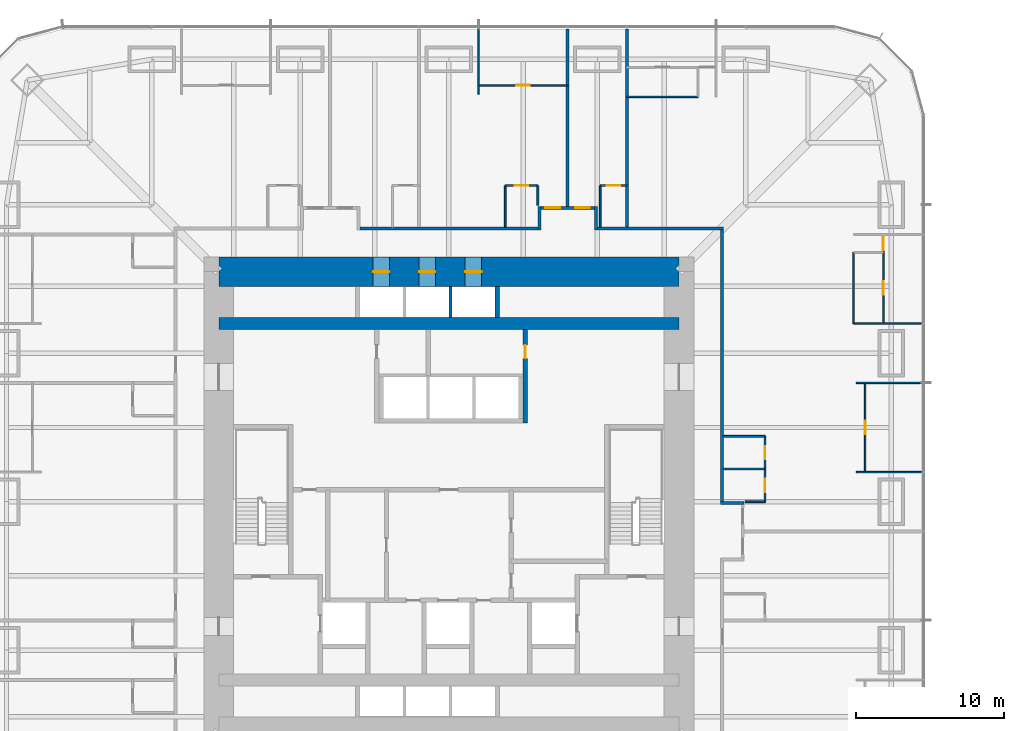
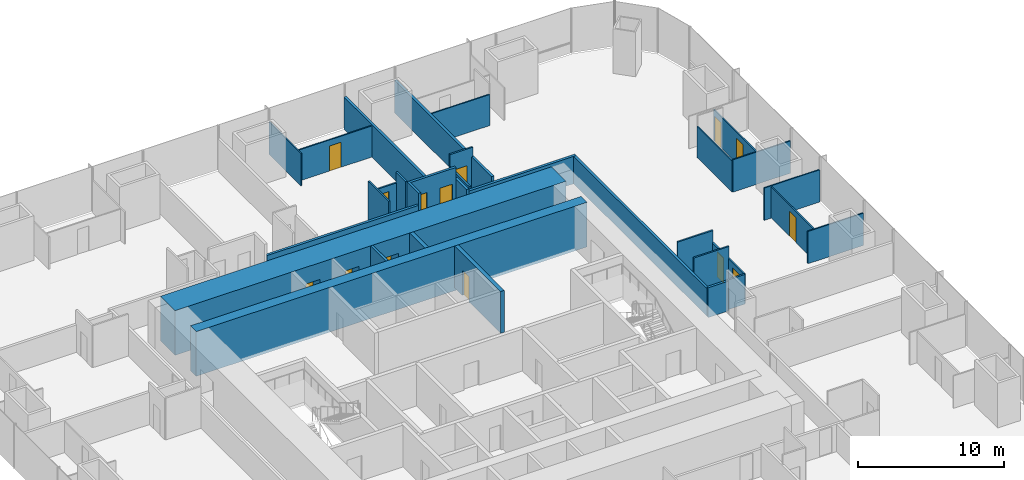
# One storey, part 18 of 20: 32 walls, 14 doors, 14 openings.
"""IFC4 building model written with IfcOpenShell, lengths in metres."""

from ifc_helpers import new_model, si_unit, direction, frame, frame_2d, origin, place, context, subcontext, project, spatial, rectangle, extrude, material, layer, layer_set, type_object, element, fill, save


model = new_model("IFC4")

# Units and contexts
model_context = context("Model", 3, precision=1e-05, world=origin(), true_north=direction((0.0, 1.0)))
body_context = subcontext(model_context, "Body", "Model", "MODEL_VIEW")
ifc_project = project(units=[si_unit("LENGTHUNIT", "METRE"), si_unit("AREAUNIT", "SQUARE_METRE"), si_unit("VOLUMEUNIT", "CUBIC_METRE"), si_unit("PLANEANGLEUNIT", "RADIAN"), si_unit("MASSUNIT", "GRAM", prefix="KILO")], contexts=[model_context])

# Site, building, storey
site_placement = place(None, origin())
site = spatial("IfcSite", under=ifc_project, at=site_placement, CompositionType="ELEMENT")
building_placement = place(site_placement, origin())
building = spatial("IfcBuilding", under=site, at=building_placement, Name="Khuree Lantern Residences", CompositionType="ELEMENT")
storey_placement = place(building_placement, frame((0.0, 0.0, 24.75)))
storey = spatial("IfcBuildingStorey", under=building, at=storey_placement, Name="L05", CompositionType="ELEMENT", Elevation=24.75)

# Wall, openings, doors
ifc_material_1 = material(Name="Moisture-resistant gypsum board on steel studs", Category="steel")
ifc_layer_1 = layer(ifc_material_1, 0.125)
ifc_layer_set_1 = layer_set([ifc_layer_1], Name="BATHROOM WALL BTW125")
wall_type_1 = type_object("IfcWallType", Name="BATHROOM WALL BTW125", PredefinedType="PARTITIONING", material=ifc_layer_set_1)
wall_1_placement = place(storey_placement, frame((21.300048828125, 0.0, 0.0), z_axis=(0.0, 0.0, 1.0), x_axis=(0.0, 1.0, 0.0)))
wall_1 = element("IfcWall", 1, at=wall_1_placement, inside=storey, type_object=wall_type_1, Name="L05 BATHROOM WALL 02", PredefinedType="PARTITIONING", context=body_context, shape_type="SweptSolid", body=[
    extrude(rectangle(XDim=4.39990234375, YDim=0.125, at=frame_2d((2.199951171875, 0.0))), origin(), (0.0, 0.0, 1.0), 2.491943359375),
])
opening_1_placement = place(wall_1_placement, frame((0.64990234375, 0.0, 0.0)))
opening_1 = element("IfcOpeningElement", 2, at=opening_1_placement, cuts=wall_1, Name="Opening 05-029", PredefinedType="OPENING", context=body_context, shape_type="SweptSolid", body=[
    extrude(rectangle(XDim=0.89990234375, YDim=2.10009765625, at=frame_2d((0.449951171875, 1.050048828125))), frame((0.0, 0.072509765625, 0.0), z_axis=(0.0, -1.0, 0.0), x_axis=(1.0, 0.0, 0.0)), (0.0, 0.0, 1.0), 0.14501953125),
])
opening_2_placement = place(wall_1_placement, frame((2.85009765625, 0.0, 0.0)))
opening_2 = element("IfcOpeningElement", 3, at=opening_2_placement, cuts=wall_1, Name="Opening 05-030", PredefinedType="OPENING", context=body_context, shape_type="SweptSolid", body=[
    extrude(rectangle(XDim=0.89990234375, YDim=2.10009765625, at=frame_2d((0.449951171875, 1.050048828125))), frame((0.0, 0.072509765625, 0.0), z_axis=(0.0, -1.0, 0.0), x_axis=(1.0, 0.0, 0.0)), (0.0, 0.0, 1.0), 0.14501953125),
])
ifc_material_2 = material(Name="Timber door leaf in hardwood frame", Category="wood")
door_type_1 = type_object("IfcDoorType", Name="BATHROOM DOOR 900X2100", OperationType="SINGLE_SWING_LEFT", PredefinedType="DOOR", material=ifc_material_2)
door_1_placement = place(opening_1_placement, origin())
door_1 = element("IfcDoor", 4, at=door_1_placement, inside=storey, type_object=door_type_1, Name="Bathroom door 05-029", OperationType="SINGLE_SWING_LEFT", OverallHeight=2.10009765625, OverallWidth=0.89990234375, PredefinedType="DOOR", context=body_context, shape_type="SweptSolid", body=[
    extrude(rectangle(XDim=0.89990234375, YDim=2.10009765625, at=frame_2d((0.449951171875, 1.050048828125))), frame((0.0, 0.02490234375, 0.0), z_axis=(0.0, -1.0, 0.0), x_axis=(1.0, 0.0, 0.0)), (0.0, 0.0, 1.0), 0.050048828125),
])
fill(opening_1, door_1)
door_2_placement = place(opening_2_placement, origin())
door_2 = element("IfcDoor", 5, at=door_2_placement, inside=storey, type_object=door_type_1, Name="Bathroom door 05-030", OperationType="SINGLE_SWING_LEFT", OverallHeight=2.10009765625, OverallWidth=0.89990234375, PredefinedType="DOOR", context=body_context, shape_type="SweptSolid", body=[
    extrude(rectangle(XDim=0.89990234375, YDim=2.10009765625, at=frame_2d((0.449951171875, 1.050048828125))), frame((0.0, 0.02490234375, 0.0), z_axis=(0.0, -1.0, 0.0), x_axis=(1.0, 0.0, 0.0)), (0.0, 0.0, 1.0), 0.050048828125),
])
fill(opening_2, door_2)

# Walls
wall_2_placement = place(storey_placement, frame((19.969970703125, 0.0, 0.0), z_axis=(0.0, 0.0, 1.0), x_axis=(1.0, 0.0, 0.0)))
element("IfcWall", 6, at=wall_2_placement, inside=storey, type_object=wall_type_1, Name="L05 BATHROOM WALL 02", PredefinedType="PARTITIONING", context=body_context, shape_type="SweptSolid", body=[
    extrude(rectangle(XDim=1.330078125, YDim=0.125, at=frame_2d((0.6650390625, 0.0))), origin(), (0.0, 0.0, 1.0), 2.491943359375),
])
for number, where, z_axis, x_axis, name in (
    (7, (18.5, 2.199951171875, 0.0), (0.0, 0.0, 1.0), (1.0, 0.0, 0.0), "L05 BATHROOM WALL 02"),
    (8, (18.5, 4.39990234375, 0.0), (0.0, 0.0, 1.0), (1.0, 0.0, 0.0), "L05 BATHROOM WALL 02"),
):
    element("IfcWall", number, at=place(storey_placement, frame(where, z_axis=z_axis, x_axis=x_axis)), inside=storey, type_object=wall_type_1, Name=name, PredefinedType="PARTITIONING", context=body_context, shape_type="SweptSolid", body=[
        extrude(rectangle(XDim=2.800048828125, YDim=0.125, at=frame_2d((1.39990234375, 0.0))), origin(), (0.0, 0.0, 1.0), 3.5),
    ])

# Wall, opening, door
wall_3_placement = place(storey_placement, frame((12.0, 21.300048828125, 0.0), z_axis=(0.0, 0.0, 1.0), x_axis=(-1.0, 0.0, 0.0)))
wall_3 = element("IfcWall", 9, at=wall_3_placement, inside=storey, type_object=wall_type_1, Name="L05 BATHROOM WALL 03", PredefinedType="PARTITIONING", context=body_context, shape_type="SweptSolid", body=[
    extrude(rectangle(XDim=1.800048828125, YDim=0.125, at=frame_2d((0.89990234375, 0.0))), origin(), (0.0, 0.0, 1.0), 3.5),
])
opening_3_placement = place(wall_3_placement, frame((0.449951171875, 0.0, 0.0)))
opening_3 = element("IfcOpeningElement", 10, at=opening_3_placement, cuts=wall_3, Name="Opening 05-032", PredefinedType="OPENING", context=body_context, shape_type="SweptSolid", body=[
    extrude(rectangle(XDim=0.89990234375, YDim=2.10009765625, at=frame_2d((0.449951171875, 1.050048828125))), frame((0.0, 0.072509765625, 0.0), z_axis=(0.0, -1.0, 0.0), x_axis=(1.0, 0.0, 0.0)), (0.0, 0.0, 1.0), 0.14501953125),
])
door_3_placement = place(opening_3_placement, origin())
door_3 = element("IfcDoor", 11, at=door_3_placement, inside=storey, type_object=door_type_1, Name="Bathroom door 05-032", OperationType="SINGLE_SWING_LEFT", OverallHeight=2.10009765625, OverallWidth=0.89990234375, PredefinedType="DOOR", context=body_context, shape_type="SweptSolid", body=[
    extrude(rectangle(XDim=0.89990234375, YDim=2.10009765625, at=frame_2d((0.449951171875, 1.050048828125))), frame((0.0, 0.02490234375, 0.0), z_axis=(0.0, -1.0, 0.0), x_axis=(1.0, 0.0, 0.0)), (0.0, 0.0, 1.0), 0.050048828125),
])
fill(opening_3, door_3)

# Wall
wall_4_placement = place(storey_placement, frame((10.199951171875, 18.5, 0.0), z_axis=(0.0, 0.0, 1.0), x_axis=(0.0, 1.0, 0.0)))
element("IfcWall", 12, at=wall_4_placement, inside=storey, type_object=wall_type_1, Name="L05 BATHROOM WALL 03", PredefinedType="PARTITIONING", context=body_context, shape_type="SweptSolid", body=[
    extrude(rectangle(XDim=2.800048828125, YDim=0.125, at=frame_2d((1.39990234375, 0.0))), origin(), (0.0, 0.0, 1.0), 2.491943359375),
])

# Wall, opening, door
wall_5_placement = place(storey_placement, frame((6.0, 21.300048828125, 0.0), z_axis=(0.0, 0.0, 1.0), x_axis=(-1.0, 0.0, 0.0)))
wall_5 = element("IfcWall", 13, at=wall_5_placement, inside=storey, type_object=wall_type_1, Name="L05 BATHROOM WALL 04", PredefinedType="PARTITIONING", context=body_context, shape_type="SweptSolid", body=[
    extrude(rectangle(XDim=2.199951171875, YDim=0.125, at=frame_2d((1.10009765625, 0.0))), origin(), (0.0, 0.0, 1.0), 2.610107421875),
])
opening_4_placement = place(wall_5_placement, frame((0.64990234375, 0.0, 0.0)))
opening_4 = element("IfcOpeningElement", 14, at=opening_4_placement, cuts=wall_5, Name="Opening 05-035", PredefinedType="OPENING", context=body_context, shape_type="SweptSolid", body=[
    extrude(rectangle(XDim=0.89990234375, YDim=2.10009765625, at=frame_2d((0.449951171875, 1.050048828125))), frame((0.0, 0.072509765625, 0.0), z_axis=(0.0, -1.0, 0.0), x_axis=(1.0, 0.0, 0.0)), (0.0, 0.0, 1.0), 0.14501953125),
])
door_4_placement = place(opening_4_placement, origin())
door_4 = element("IfcDoor", 15, at=door_4_placement, inside=storey, type_object=door_type_1, Name="Bathroom door 05-035", OperationType="SINGLE_SWING_LEFT", OverallHeight=2.10009765625, OverallWidth=0.89990234375, PredefinedType="DOOR", context=body_context, shape_type="SweptSolid", body=[
    extrude(rectangle(XDim=0.89990234375, YDim=2.10009765625, at=frame_2d((0.449951171875, 1.050048828125))), frame((0.0, 0.02490234375, 0.0), z_axis=(0.0, -1.0, 0.0), x_axis=(1.0, 0.0, 0.0)), (0.0, 0.0, 1.0), 0.050048828125),
])
fill(opening_4, door_4)

# Walls
wall_6_placement = place(storey_placement, frame((6.0, 19.969970703125, 0.0), z_axis=(0.0, 0.0, 1.0), x_axis=(0.0, 1.0, 0.0)))
element("IfcWall", 16, at=wall_6_placement, inside=storey, type_object=wall_type_1, Name="L05 BATHROOM WALL 04", PredefinedType="PARTITIONING", context=body_context, shape_type="SweptSolid", body=[
    extrude(rectangle(XDim=1.330078125, YDim=0.125, at=frame_2d((0.6650390625, 0.0))), origin(), (0.0, 0.0, 1.0), 3.5),
])
wall_7_placement = place(storey_placement, frame((3.800048828125, 18.5, 0.0), z_axis=(0.0, 0.0, 1.0), x_axis=(0.0, 1.0, 0.0)))
element("IfcWall", 17, at=wall_7_placement, inside=storey, type_object=wall_type_1, Name="L05 BATHROOM WALL 04", PredefinedType="PARTITIONING", context=body_context, shape_type="SweptSolid", body=[
    extrude(rectangle(XDim=2.800048828125, YDim=0.125, at=frame_2d((1.39990234375, 0.0))), origin(), (0.0, 0.0, 1.0), 3.5),
])
ifc_material_3 = material(Name="Dense concrete blockwork", Category="masonry")
ifc_layer_2 = layer(ifc_material_3, 0.300048828125)
ifc_layer_set_2 = layer_set([ifc_layer_2], Name="CORE PARTITION WALL CPW300 EI 120")
wall_type_2 = type_object("IfcWallType", Name="CORE PARTITION WALL CPW300 EI 120", PredefinedType="PARTITIONING", material=ifc_layer_set_2)
wall_8_placement = place(storey_placement, frame((3.25, 12.39990234375, 0.0), z_axis=(0.0, 0.0, 1.0), x_axis=(0.0, 1.0, 0.0)))
element("IfcWall", 18, at=wall_8_placement, inside=storey, type_object=wall_type_2, Name="L05 CORE WALL PLE", PredefinedType="PARTITIONING", context=body_context, shape_type="SweptSolid", body=[
    extrude(rectangle(XDim=2.10009765625, YDim=0.300048828125, at=frame_2d((1.050048828125, 0.0))), origin(), (0.0, 0.0, 1.0), 3.5),
])

# Wall, opening, door
wall_9_placement = place(storey_placement, frame((5.14990234375, 5.300048828125, 0.0), z_axis=(0.0, 0.0, 1.0), x_axis=(0.0, 1.0, 0.0)))
wall_9 = element("IfcWall", 19, at=wall_9_placement, inside=storey, type_object=wall_type_2, Name="L05 CORE WALL NE", PredefinedType="PARTITIONING", context=body_context, shape_type="SweptSolid", body=[
    extrude(rectangle(XDim=6.300048828125, YDim=0.300048828125, at=frame_2d((3.14990234375, 0.0))), origin(), (0.0, 0.0, 1.0), 3.5),
])
opening_5_placement = place(wall_9_placement, frame((4.35009765625, 0.0, 0.0)))
opening_5 = element("IfcOpeningElement", 20, at=opening_5_placement, cuts=wall_9, Name="Opening 05-021", PredefinedType="OPENING", context=body_context, shape_type="SweptSolid", body=[
    extrude(rectangle(XDim=0.89990234375, YDim=2.10009765625, at=frame_2d((0.449951171875, 1.050048828125))), frame((0.0, 0.16015625, 0.0), z_axis=(0.0, -1.0, 0.0), x_axis=(1.0, 0.0, 0.0)), (0.0, 0.0, 1.0), 0.320068359375),
])
door_type_2 = type_object("IfcDoorType", Name="DOOR 900X2100", OperationType="SINGLE_SWING_LEFT", PredefinedType="DOOR", material=ifc_material_2)
door_5_placement = place(opening_5_placement, origin())
door_5 = element("IfcDoor", 21, at=door_5_placement, inside=storey, type_object=door_type_2, Name="Parcel room door 05-021", OperationType="SINGLE_SWING_LEFT", OverallHeight=2.10009765625, OverallWidth=0.89990234375, PredefinedType="DOOR", context=body_context, shape_type="SweptSolid", body=[
    extrude(rectangle(XDim=0.89990234375, YDim=2.10009765625, at=frame_2d((0.449951171875, 1.050048828125))), frame((0.0, 0.02490234375, 0.0), z_axis=(0.0, -1.0, 0.0), x_axis=(1.0, 0.0, 0.0)), (0.0, 0.0, 1.0), 0.050048828125),
])
fill(opening_5, door_5)

# Walls
ifc_material_4 = material(Name="Gypsum board on steel studs", Category="steel")
ifc_layer_3 = layer(ifc_material_4, 0.199951171875)
ifc_layer_set_3 = layer_set([ifc_layer_3], Name="CORRIDOR WALL CRW200 EI 60")
wall_type_3 = type_object("IfcWallType", Name="CORRIDOR WALL CRW200 EI 60", PredefinedType="PARTITIONING", material=ifc_layer_set_3)
wall_10_placement = place(storey_placement, frame((18.300048828125, -0.10009765625, 0.0), z_axis=(0.0, 0.0, 1.0), x_axis=(1.0, 0.0, 0.0)))
element("IfcWall", 22, at=wall_10_placement, inside=storey, type_object=wall_type_3, Name="L05 CORRIDOR ALCOVE WALL EAST", PredefinedType="PARTITIONING", context=body_context, shape_type="SweptSolid", body=[
    extrude(rectangle(XDim=1.599853515625, YDim=0.199951171875, at=frame_2d((0.7998046875, 0.0))), origin(), (0.0, 0.0, 1.0), 2.491943359375),
])
wall_11_placement = place(storey_placement, frame((18.39990234375, 0.0, 0.0), z_axis=(0.0, 0.0, 1.0), x_axis=(0.0, 1.0, 0.0)))
element("IfcWall", 23, at=wall_11_placement, inside=storey, type_object=wall_type_3, Name="L05 CORRIDOR WALL EAST 2", PredefinedType="PARTITIONING", context=body_context, shape_type="SweptSolid", body=[
    extrude(rectangle(XDim=18.300048828125, YDim=0.199951171875, at=frame_2d((9.14990234375, 0.0))), origin(), (0.0, 0.0, 1.0), 2.300048828125),
])
wall_12_placement = place(storey_placement, frame((-6.0, 18.39990234375, 0.0), z_axis=(0.0, 0.0, 1.0), x_axis=(1.0, 0.0, 0.0)))
element("IfcWall", 24, at=wall_12_placement, inside=storey, type_object=wall_type_3, Name="L05 CORRIDOR WALL NORTH 2", PredefinedType="PARTITIONING", context=body_context, shape_type="SweptSolid", body=[
    extrude(rectangle(XDim=12.0, YDim=0.199951171875, at=frame_2d((6.0, 0.0))), origin(), (0.0, 0.0, 1.0), 2.491943359375),
])
wall_13_placement = place(storey_placement, frame((6.10009765625, 18.300048828125, 0.0), z_axis=(0.0, 0.0, 1.0), x_axis=(0.0, 1.0, 0.0)))
element("IfcWall", 25, at=wall_13_placement, inside=storey, type_object=wall_type_3, Name="L05 CORRIDOR ALCOVE WALL NORTH", PredefinedType="PARTITIONING", context=body_context, shape_type="SweptSolid", body=[
    extrude(rectangle(XDim=1.599853515625, YDim=0.199951171875, at=frame_2d((0.7998046875, 0.0))), origin(), (0.0, 0.0, 1.0), 3.5),
])
wall_14_placement = place(storey_placement, frame((9.89990234375, 18.300048828125, 0.0), z_axis=(0.0, 0.0, 1.0), x_axis=(0.0, 1.0, 0.0)))
element("IfcWall", 26, at=wall_14_placement, inside=storey, type_object=wall_type_3, Name="L05 CORRIDOR ALCOVE WALL NORTH", PredefinedType="PARTITIONING", context=body_context, shape_type="SweptSolid", body=[
    extrude(rectangle(XDim=1.599853515625, YDim=0.199951171875, at=frame_2d((0.7998046875, 0.0))), origin(), (0.0, 0.0, 1.0), 2.491943359375),
])

# Wall, openings, doors
wall_15_placement = place(storey_placement, frame((6.199951171875, 19.800048828125, 0.0), z_axis=(0.0, 0.0, 1.0), x_axis=(1.0, 0.0, 0.0)))
wall_15 = element("IfcWall", 27, at=wall_15_placement, inside=storey, type_object=wall_type_3, Name="L05 CORRIDOR ALCOVE WALL NORTH", PredefinedType="PARTITIONING", context=body_context, shape_type="SweptSolid", body=[
    extrude(rectangle(XDim=3.60009765625, YDim=0.199951171875, at=frame_2d((1.800048828125, 0.0))), origin(), (0.0, 0.0, 1.0), 3.5),
])
opening_6_placement = place(wall_15_placement, frame((2.300048828125, 0.0, 0.0)))
opening_6 = element("IfcOpeningElement", 28, at=opening_6_placement, cuts=wall_15, Name="Opening 05-033", PredefinedType="OPENING", context=body_context, shape_type="SweptSolid", body=[
    extrude(rectangle(XDim=1.0, YDim=2.199951171875, at=frame_2d((0.5, 1.10009765625))), frame((0.0, 0.10986328125, 0.0), z_axis=(0.0, -1.0, 0.0), x_axis=(1.0, 0.0, 0.0)), (0.0, 0.0, 1.0), 0.219970703125),
])
opening_7_placement = place(wall_15_placement, frame((0.300048828125, 0.0, 0.0)))
opening_7 = element("IfcOpeningElement", 29, at=opening_7_placement, cuts=wall_15, Name="Opening 05-036", PredefinedType="OPENING", context=body_context, shape_type="SweptSolid", body=[
    extrude(rectangle(XDim=1.0, YDim=2.199951171875, at=frame_2d((0.5, 1.10009765625))), frame((0.0, 0.10986328125, 0.0), z_axis=(0.0, -1.0, 0.0), x_axis=(1.0, 0.0, 0.0)), (0.0, 0.0, 1.0), 0.219970703125),
])
door_type_3 = type_object("IfcDoorType", Name="APARTMENT ENTRANCE DOOR 1000X2200 EI 30S", OperationType="SINGLE_SWING_LEFT", PredefinedType="DOOR", material=ifc_material_2)
door_6_placement = place(opening_6_placement, origin())
door_6 = element("IfcDoor", 30, at=door_6_placement, inside=storey, type_object=door_type_3, Name="Apartment 03 entrance door 05-033", OperationType="SINGLE_SWING_LEFT", OverallHeight=2.199951171875, OverallWidth=1.0, PredefinedType="DOOR", context=body_context, shape_type="SweptSolid", body=[
    extrude(rectangle(XDim=1.0, YDim=2.199951171875, at=frame_2d((0.5, 1.10009765625))), frame((0.0, 0.02490234375, 0.0), z_axis=(0.0, -1.0, 0.0), x_axis=(1.0, 0.0, 0.0)), (0.0, 0.0, 1.0), 0.050048828125),
])
fill(opening_6, door_6)
door_7_placement = place(opening_7_placement, origin())
door_7 = element("IfcDoor", 31, at=door_7_placement, inside=storey, type_object=door_type_3, Name="Apartment 04 entrance door 05-036", OperationType="SINGLE_SWING_LEFT", OverallHeight=2.199951171875, OverallWidth=1.0, PredefinedType="DOOR", context=body_context, shape_type="SweptSolid", body=[
    extrude(rectangle(XDim=1.0, YDim=2.199951171875, at=frame_2d((0.5, 1.10009765625))), frame((0.0, 0.02490234375, 0.0), z_axis=(0.0, -1.0, 0.0), x_axis=(1.0, 0.0, 0.0)), (0.0, 0.0, 1.0), 0.050048828125),
])
fill(opening_7, door_7)

# Wall
wall_16_placement = place(storey_placement, frame((10.0, 18.39990234375, 0.0), z_axis=(0.0, 0.0, 1.0), x_axis=(1.0, 0.0, 0.0)))
element("IfcWall", 32, at=wall_16_placement, inside=storey, type_object=wall_type_3, Name="L05 CORRIDOR WALL NORTH 3", PredefinedType="PARTITIONING", context=body_context, shape_type="SweptSolid", body=[
    extrude(rectangle(XDim=8.5, YDim=0.199951171875, at=frame_2d((4.25, 0.0))), origin(), (0.0, 0.0, 1.0), 2.300048828125),
])

# Wall, openings, doors
ifc_material_5 = material(Name="Concrete C70/85", Category="concrete")
ifc_layer_4 = layer(ifc_material_5, 2.0)
ifc_layer_set_4 = layer_set([ifc_layer_4], Name="CW2000-C70 CORE WALL C70 2000")
wall_type_4 = type_object("IfcWallType", Name="CW2000-C70 CORE WALL C70 2000", PredefinedType="SHEAR", material=ifc_layer_set_4)
wall_17_placement = place(storey_placement, frame((-15.5, 15.5, -0.25), z_axis=(0.0, 0.0, 1.0), x_axis=(1.0, 0.0, 0.0)))
wall_17 = element("IfcWall", 33, at=wall_17_placement, inside=storey, type_object=wall_type_4, Name="Core wall N", PredefinedType="SHEAR", context=body_context, shape_type="SweptSolid", body=[
    extrude(rectangle(XDim=31.0, YDim=2.0, at=frame_2d((15.5, 0.0))), origin(), (0.0, 0.0, 1.0), 3.75),
])
opening_8_placement = place(wall_17_placement, frame((10.39990234375, 0.0, 0.25)))
opening_8 = element("IfcOpeningElement", 34, at=opening_8_placement, cuts=wall_17, Name="Opening 05-009", PredefinedType="OPENING", context=body_context, shape_type="SweptSolid", body=[
    extrude(rectangle(XDim=1.10009765625, YDim=2.10009765625, at=frame_2d((0.550048828125, 1.050048828125))), frame((0.0, 1.010009765625, 0.0), z_axis=(0.0, -1.0, 0.0), x_axis=(1.0, 0.0, 0.0)), (0.0, 0.0, 1.0), 2.02001953125),
])
opening_9_placement = place(wall_17_placement, frame((13.5, 0.0, 0.25)))
opening_9 = element("IfcOpeningElement", 35, at=opening_9_placement, cuts=wall_17, Name="Opening 05-010", PredefinedType="OPENING", context=body_context, shape_type="SweptSolid", body=[
    extrude(rectangle(XDim=1.10009765625, YDim=2.10009765625, at=frame_2d((0.550048828125, 1.050048828125))), frame((0.0, 1.010009765625, 0.0), z_axis=(0.0, -1.0, 0.0), x_axis=(1.0, 0.0, 0.0)), (0.0, 0.0, 1.0), 2.02001953125),
])
opening_10_placement = place(wall_17_placement, frame((16.60009765625, 0.0, 0.25)))
opening_10 = element("IfcOpeningElement", 36, at=opening_10_placement, cuts=wall_17, Name="Opening 05-011", PredefinedType="OPENING", context=body_context, shape_type="SweptSolid", body=[
    extrude(rectangle(XDim=1.10009765625, YDim=2.10009765625, at=frame_2d((0.550048828125, 1.050048828125))), frame((0.0, 1.010009765625, 0.0), z_axis=(0.0, -1.0, 0.0), x_axis=(1.0, 0.0, 0.0)), (0.0, 0.0, 1.0), 2.02001953125),
])
ifc_material_6 = material(Name="Stainless steel lift landing door", Category="steel")
door_type_4 = type_object("IfcDoorType", Name="LIFT LANDING DOOR 1100X2100 E 60", OperationType="DOUBLE_DOOR_SLIDING", PredefinedType="DOOR", material=ifc_material_6)
door_8_placement = place(opening_8_placement, origin())
door_8 = element("IfcDoor", 37, at=door_8_placement, inside=storey, type_object=door_type_4, Name="Landing door PL1 05-009", OperationType="DOUBLE_DOOR_SLIDING", OverallHeight=2.10009765625, OverallWidth=1.10009765625, PredefinedType="DOOR", context=body_context, shape_type="SweptSolid", body=[
    extrude(rectangle(XDim=1.10009765625, YDim=2.10009765625, at=frame_2d((0.550048828125, 1.050048828125))), frame((0.0, 0.02490234375, 0.0), z_axis=(0.0, -1.0, 0.0), x_axis=(1.0, 0.0, 0.0)), (0.0, 0.0, 1.0), 0.050048828125),
])
fill(opening_8, door_8)
door_9_placement = place(opening_9_placement, origin())
door_9 = element("IfcDoor", 38, at=door_9_placement, inside=storey, type_object=door_type_4, Name="Landing door PL2 05-010", OperationType="DOUBLE_DOOR_SLIDING", OverallHeight=2.10009765625, OverallWidth=1.10009765625, PredefinedType="DOOR", context=body_context, shape_type="SweptSolid", body=[
    extrude(rectangle(XDim=1.10009765625, YDim=2.10009765625, at=frame_2d((0.550048828125, 1.050048828125))), frame((0.0, 0.02490234375, 0.0), z_axis=(0.0, -1.0, 0.0), x_axis=(1.0, 0.0, 0.0)), (0.0, 0.0, 1.0), 0.050048828125),
])
fill(opening_9, door_9)
door_10_placement = place(opening_10_placement, origin())
door_10 = element("IfcDoor", 39, at=door_10_placement, inside=storey, type_object=door_type_4, Name="Landing door PL3 05-011", OperationType="DOUBLE_DOOR_SLIDING", OverallHeight=2.10009765625, OverallWidth=1.10009765625, PredefinedType="DOOR", context=body_context, shape_type="SweptSolid", body=[
    extrude(rectangle(XDim=1.10009765625, YDim=2.10009765625, at=frame_2d((0.550048828125, 1.050048828125))), frame((0.0, 0.02490234375, 0.0), z_axis=(0.0, -1.0, 0.0), x_axis=(1.0, 0.0, 0.0)), (0.0, 0.0, 1.0), 0.050048828125),
])
fill(opening_10, door_10)

# Walls
ifc_layer_5 = layer(ifc_material_4, 0.199951171875)
ifc_layer_set_5 = layer_set([ifc_layer_5], Name="DEMISING WALL DMW200 EI 90")
wall_type_5 = type_object("IfcWallType", Name="DEMISING WALL DMW200 EI 90", PredefinedType="PARTITIONING", material=ifc_layer_set_5)
wall_18_placement = place(storey_placement, frame((12.0, 18.5, 0.0), z_axis=(0.0, 0.0, 1.0), x_axis=(0.0, 1.0, 0.0)))
element("IfcWall", 40, at=wall_18_placement, inside=storey, type_object=wall_type_5, Name="L05 DEMISING WALL 03", PredefinedType="PARTITIONING", context=body_context, shape_type="SweptSolid", body=[
    extrude(rectangle(XDim=13.35009765625, YDim=0.199951171875, at=frame_2d((6.675048828125, 0.0))), origin(), (0.0, 0.0, 1.0), 2.7099609375),
])
wall_19_placement = place(storey_placement, frame((8.0, 19.89990234375, 0.0), z_axis=(0.0, 0.0, 1.0), x_axis=(0.0, 1.0, 0.0)))
element("IfcWall", 41, at=wall_19_placement, inside=storey, type_object=wall_type_5, Name="L05 DEMISING WALL 04", PredefinedType="PARTITIONING", context=body_context, shape_type="SweptSolid", body=[
    extrude(rectangle(XDim=11.9501953125, YDim=0.199951171875, at=frame_2d((5.97509765625, 0.0))), origin(), (0.0, 0.0, 1.0), 2.7099609375),
])
ifc_layer_6 = layer(ifc_material_4, 0.10009765625)
ifc_layer_set_6 = layer_set([ifc_layer_6], Name="PARTITION PT100")
wall_type_6 = type_object("IfcWallType", Name="PARTITION PT100", PredefinedType="PARTITIONING", material=ifc_layer_set_6)
for number, where, z_axis, x_axis, name in (
    (42, (27.449951171875, 2.0, 0.0), (0.0, 0.0, 1.0), (1.0, 0.0, 0.0), "L05 PARTITION 02"),
    (43, (27.449951171875, 8.0, 0.0), (0.0, 0.0, 1.0), (1.0, 0.0, 0.0), "L05 PARTITION 02"),
):
    element("IfcWall", number, at=place(storey_placement, frame(where, z_axis=z_axis, x_axis=x_axis)), inside=storey, type_object=wall_type_6, Name=name, PredefinedType="PARTITIONING", context=body_context, shape_type="SweptSolid", body=[
        extrude(rectangle(XDim=4.400146484375, YDim=0.10009765625, at=frame_2d((2.2001953125, 0.0))), origin(), (0.0, 0.0, 1.0), 2.7099609375),
    ])
wall_20_placement = place(storey_placement, frame((27.2666015625, 12.0, 0.0), z_axis=(0.0, 0.0, 1.0), x_axis=(1.0, 0.0, 0.0)))
element("IfcWall", 44, at=wall_20_placement, inside=storey, type_object=wall_type_6, Name="L05 PARTITION 02", PredefinedType="PARTITIONING", context=body_context, shape_type="SweptSolid", body=[
    extrude(rectangle(XDim=4.58349609375, YDim=0.10009765625, at=frame_2d((2.291748046875, 0.0))), origin(), (0.0, 0.0, 1.0), 2.7099609375),
])
wall_21_placement = place(storey_placement, frame((2.0, 27.449951171875, 0.0), z_axis=(0.0, 0.0, 1.0), x_axis=(0.0, 1.0, 0.0)))
element("IfcWall", 45, at=wall_21_placement, inside=storey, type_object=wall_type_6, Name="L05 PARTITION 04", PredefinedType="PARTITIONING", context=body_context, shape_type="SweptSolid", body=[
    extrude(rectangle(XDim=4.400146484375, YDim=0.10009765625, at=frame_2d((2.2001953125, 0.0))), origin(), (0.0, 0.0, 1.0), 2.7099609375),
])

# Wall, opening, door
wall_22_placement = place(storey_placement, frame((28.050048828125, 2.0, 0.0), z_axis=(0.0, 0.0, 1.0), x_axis=(0.0, 1.0, 0.0)))
wall_22 = element("IfcWall", 46, at=wall_22_placement, inside=storey, type_object=wall_type_6, Name="L05 PARTITION 02", PredefinedType="PARTITIONING", context=body_context, shape_type="SweptSolid", body=[
    extrude(rectangle(XDim=6.0, YDim=0.10009765625, at=frame_2d((3.0, 0.0))), origin(), (0.0, 0.0, 1.0), 2.610107421875),
])
opening_11_placement = place(wall_22_placement, frame((2.550048828125, 0.0, 0.0)))
opening_11 = element("IfcOpeningElement", 47, at=opening_11_placement, cuts=wall_22, Name="Opening 05-024", PredefinedType="OPENING", context=body_context, shape_type="SweptSolid", body=[
    extrude(rectangle(XDim=0.89990234375, YDim=2.10009765625, at=frame_2d((0.449951171875, 1.050048828125))), frame((0.0, 0.06005859375, 0.0), z_axis=(0.0, -1.0, 0.0), x_axis=(1.0, 0.0, 0.0)), (0.0, 0.0, 1.0), 0.1201171875),
])
door_type_5 = type_object("IfcDoorType", Name="BEDROOM DOOR 900X2100", OperationType="SINGLE_SWING_LEFT", PredefinedType="DOOR", material=ifc_material_2)
door_11_placement = place(opening_11_placement, origin())
door_11 = element("IfcDoor", 48, at=door_11_placement, inside=storey, type_object=door_type_5, Name="Bedroom door 05-024", OperationType="SINGLE_SWING_LEFT", OverallHeight=2.10009765625, OverallWidth=0.89990234375, PredefinedType="DOOR", context=body_context, shape_type="SweptSolid", body=[
    extrude(rectangle(XDim=0.89990234375, YDim=2.10009765625, at=frame_2d((0.449951171875, 1.050048828125))), frame((0.0, 0.02490234375, 0.0), z_axis=(0.0, -1.0, 0.0), x_axis=(1.0, 0.0, 0.0)), (0.0, 0.0, 1.0), 0.050048828125),
])
fill(opening_11, door_11)

# Wall, openings, doors
wall_23_placement = place(storey_placement, frame((29.2666015625, 12.0, 0.0), z_axis=(0.0, 0.0, 1.0), x_axis=(0.0, 1.0, 0.0)))
wall_23 = element("IfcWall", 49, at=wall_23_placement, inside=storey, type_object=wall_type_6, Name="L05 PARTITION 02", PredefinedType="PARTITIONING", context=body_context, shape_type="SweptSolid", body=[
    extrude(rectangle(XDim=6.0, YDim=0.10009765625, at=frame_2d((3.0, 0.0))), origin(), (0.0, 0.0, 1.0), 2.610107421875),
])
opening_12_placement = place(wall_23_placement, frame((4.949951171875, 0.0, 0.0)))
opening_12 = element("IfcOpeningElement", 50, at=opening_12_placement, cuts=wall_23, Name="Opening 05-025", PredefinedType="OPENING", context=body_context, shape_type="SweptSolid", body=[
    extrude(rectangle(XDim=0.89990234375, YDim=2.10009765625, at=frame_2d((0.449951171875, 1.050048828125))), frame((0.0, 0.06005859375, 0.0), z_axis=(0.0, -1.0, 0.0), x_axis=(1.0, 0.0, 0.0)), (0.0, 0.0, 1.0), 0.1201171875),
])
opening_13_placement = place(wall_23_placement, frame((1.949951171875, 0.0, 0.0)))
opening_13 = element("IfcOpeningElement", 51, at=opening_13_placement, cuts=wall_23, Name="Opening 05-026", PredefinedType="OPENING", context=body_context, shape_type="SweptSolid", body=[
    extrude(rectangle(XDim=0.89990234375, YDim=2.10009765625, at=frame_2d((0.449951171875, 1.050048828125))), frame((0.0, 0.06005859375, 0.0), z_axis=(0.0, -1.0, 0.0), x_axis=(1.0, 0.0, 0.0)), (0.0, 0.0, 1.0), 0.1201171875),
])
door_12_placement = place(opening_12_placement, origin())
door_12 = element("IfcDoor", 52, at=door_12_placement, inside=storey, type_object=door_type_5, Name="Bedroom door 05-025", OperationType="SINGLE_SWING_LEFT", OverallHeight=2.10009765625, OverallWidth=0.89990234375, PredefinedType="DOOR", context=body_context, shape_type="SweptSolid", body=[
    extrude(rectangle(XDim=0.89990234375, YDim=2.10009765625, at=frame_2d((0.449951171875, 1.050048828125))), frame((0.0, 0.02490234375, 0.0), z_axis=(0.0, -1.0, 0.0), x_axis=(1.0, 0.0, 0.0)), (0.0, 0.0, 1.0), 0.050048828125),
])
fill(opening_12, door_12)
door_13_placement = place(opening_13_placement, origin())
door_13 = element("IfcDoor", 53, at=door_13_placement, inside=storey, type_object=door_type_2, Name="Wardrobe door 05-026", OperationType="SINGLE_SWING_LEFT", OverallHeight=2.10009765625, OverallWidth=0.89990234375, PredefinedType="DOOR", context=body_context, shape_type="SweptSolid", body=[
    extrude(rectangle(XDim=0.89990234375, YDim=2.10009765625, at=frame_2d((0.449951171875, 1.050048828125))), frame((0.0, 0.02490234375, 0.0), z_axis=(0.0, -1.0, 0.0), x_axis=(1.0, 0.0, 0.0)), (0.0, 0.0, 1.0), 0.050048828125),
])
fill(opening_13, door_13)

# Walls
for number, where, z_axis, x_axis, name in (
    (54, (27.2666015625, 12.0, 0.0), (0.0, 0.0, 1.0), (0.0, 1.0, 0.0), "L05 PARTITION 02"),
    (55, (16.800048828125, 27.2666015625, 0.0), (0.0, 0.0, 1.0), (-1.0, 0.0, 0.0), "L05 PARTITION 02"),
):
    element("IfcWall", number, at=place(storey_placement, frame(where, z_axis=z_axis, x_axis=x_axis)), inside=storey, type_object=wall_type_6, Name=name, PredefinedType="PARTITIONING", context=body_context, shape_type="SweptSolid", body=[
        extrude(rectangle(XDim=4.800048828125, YDim=0.10009765625, at=frame_2d((2.39990234375, 0.0))), origin(), (0.0, 0.0, 1.0), 2.610107421875),
    ])

# Wall, opening, door
wall_24_placement = place(storey_placement, frame((8.0, 28.050048828125, 0.0), z_axis=(0.0, 0.0, 1.0), x_axis=(-1.0, 0.0, 0.0)))
wall_24 = element("IfcWall", 56, at=wall_24_placement, inside=storey, type_object=wall_type_6, Name="L05 PARTITION 04", PredefinedType="PARTITIONING", context=body_context, shape_type="SweptSolid", body=[
    extrude(rectangle(XDim=6.0, YDim=0.10009765625, at=frame_2d((3.0, 0.0))), origin(), (0.0, 0.0, 1.0), 2.610107421875),
])
opening_14_placement = place(wall_24_placement, frame((2.550048828125, 0.0, 0.0)))
opening_14 = element("IfcOpeningElement", 57, at=opening_14_placement, cuts=wall_24, Name="Opening 05-034", PredefinedType="OPENING", context=body_context, shape_type="SweptSolid", body=[
    extrude(rectangle(XDim=0.89990234375, YDim=2.10009765625, at=frame_2d((0.449951171875, 1.050048828125))), frame((0.0, 0.06005859375, 0.0), z_axis=(0.0, -1.0, 0.0), x_axis=(1.0, 0.0, 0.0)), (0.0, 0.0, 1.0), 0.1201171875),
])
door_14_placement = place(opening_14_placement, origin())
door_14 = element("IfcDoor", 58, at=door_14_placement, inside=storey, type_object=door_type_5, Name="Bedroom door 05-034", OperationType="SINGLE_SWING_LEFT", OverallHeight=2.10009765625, OverallWidth=0.89990234375, PredefinedType="DOOR", context=body_context, shape_type="SweptSolid", body=[
    extrude(rectangle(XDim=0.89990234375, YDim=2.10009765625, at=frame_2d((0.449951171875, 1.050048828125))), frame((0.0, 0.02490234375, 0.0), z_axis=(0.0, -1.0, 0.0), x_axis=(1.0, 0.0, 0.0)), (0.0, 0.0, 1.0), 0.050048828125),
])
fill(opening_14, door_14)

# Walls
ifc_layer_7 = layer(ifc_material_3, 0.199951171875)
ifc_layer_set_7 = layer_set([ifc_layer_7], Name="SHAFT WALL SHW200 EI 120")
wall_type_7 = type_object("IfcWallType", Name="SHAFT WALL SHW200 EI 120", PredefinedType="PARTITIONING", material=ifc_layer_set_7)
wall_25_placement = place(storey_placement, frame((0.10009765625, 12.39990234375, 0.0), z_axis=(0.0, 0.0, 1.0), x_axis=(0.0, 1.0, 0.0)))
element("IfcWall", 59, at=wall_25_placement, inside=storey, type_object=wall_type_7, Name="L05 CORE WALL PLD2", PredefinedType="PARTITIONING", context=body_context, shape_type="SweptSolid", body=[
    extrude(rectangle(XDim=2.10009765625, YDim=0.199951171875, at=frame_2d((1.050048828125, 0.0))), origin(), (0.0, 0.0, 1.0), 3.5),
])
ifc_layer_8 = layer(ifc_material_5, 0.800048828125)
ifc_layer_set_8 = layer_set([ifc_layer_8], Name="SP800-C70 CORE SPINE WALL C70 800")
wall_type_8 = type_object("IfcWallType", Name="SP800-C70 CORE SPINE WALL C70 800", PredefinedType="SHEAR", material=ifc_layer_set_8)
wall_26_placement = place(storey_placement, frame((-15.5, 12.0, -0.25), z_axis=(0.0, 0.0, 1.0), x_axis=(1.0, 0.0, 0.0)))
element("IfcWall", 60, at=wall_26_placement, inside=storey, type_object=wall_type_8, Name="Core wall SPN", PredefinedType="SHEAR", context=body_context, shape_type="SweptSolid", body=[
    extrude(rectangle(XDim=31.0, YDim=0.800048828125, at=frame_2d((15.5, 0.0))), origin(), (0.0, 0.0, 1.0), 3.75),
])

save(model, "model.ifc")
